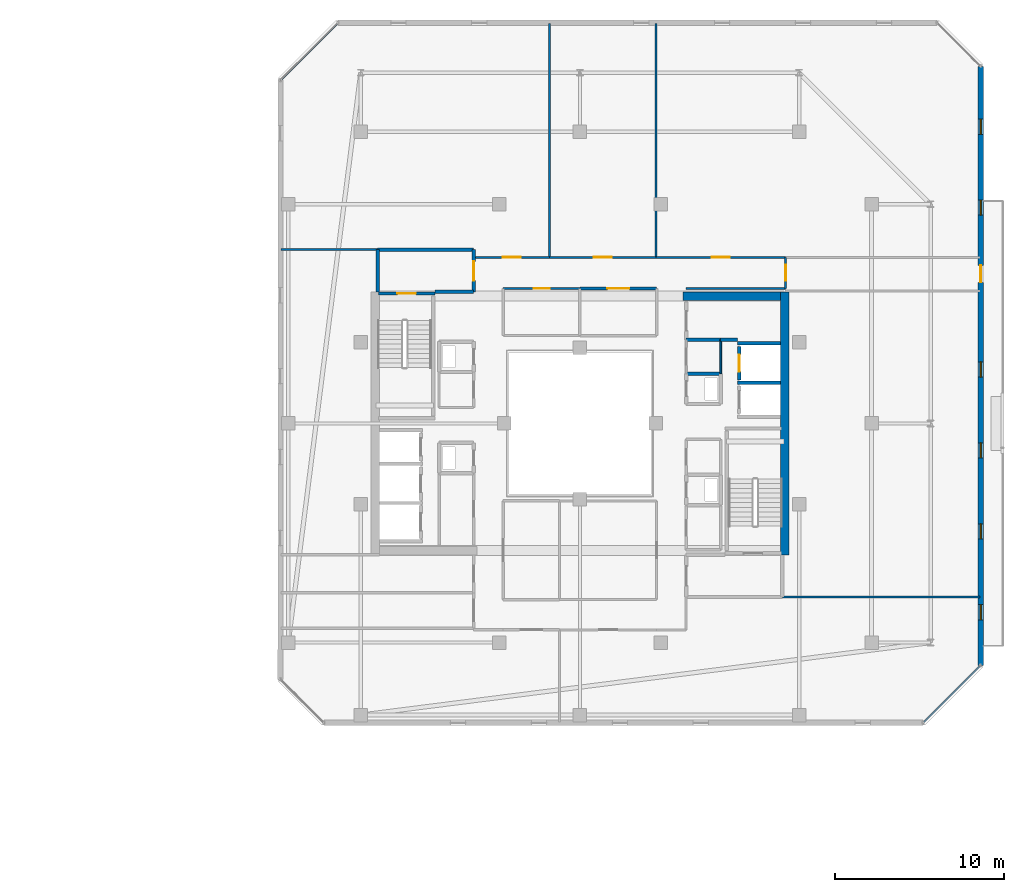
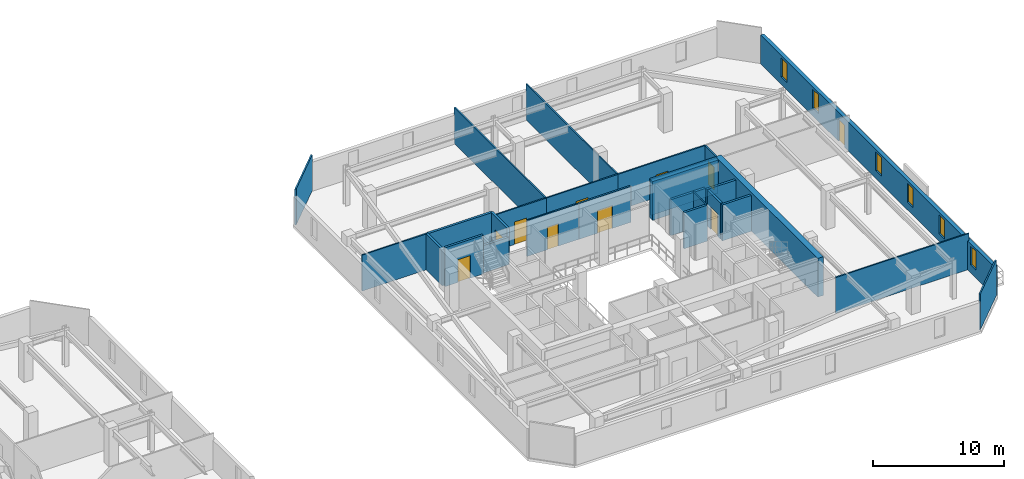
# One storey, part 27 of 35: 28 walls, 10 doors, 6 windows, 16 openings.
"""IFC4 building model written with IfcOpenShell, lengths in metres."""

from ifc_helpers import new_model, si_unit, direction, frame, frame_2d, origin, place, context, subcontext, project, spatial, rectangle, extrude, material, layer, layer_set, type_object, element, fill, save


model = new_model("IFC4")

# Units and contexts
model_context = context("Model", 3, precision=1e-05, world=origin(), true_north=direction((0.0, 1.0)))
body_context = subcontext(model_context, "Body", "Model", "MODEL_VIEW")
ifc_project = project(units=[si_unit("LENGTHUNIT", "METRE"), si_unit("AREAUNIT", "SQUARE_METRE"), si_unit("VOLUMEUNIT", "CUBIC_METRE"), si_unit("PLANEANGLEUNIT", "RADIAN"), si_unit("MASSUNIT", "GRAM", prefix="KILO")], contexts=[model_context])

# Site, building, storey
site_placement = place(None, origin())
site = spatial("IfcSite", under=ifc_project, at=site_placement, CompositionType="ELEMENT")
building_placement = place(site_placement, origin())
building = spatial("IfcBuilding", under=site, at=building_placement, Name="Thornwick Lancets Civic Towers", CompositionType="ELEMENT")
storey_placement = place(building_placement, frame((0.0, 0.0, 265.5)))
storey = spatial("IfcBuildingStorey", under=building, at=storey_placement, Name="L71", CompositionType="ELEMENT", Elevation=265.5)

# Wall, opening, door
ifc_material_1 = material(Name="Concrete blockwork C40/50", Category="masonry")
ifc_layer_1 = layer(ifc_material_1, 0.199951171875, Name="Concrete blockwork C40/50")
ifc_layer_set_1 = layer_set([ifc_layer_1], Name="Concrete blockwork C40/50")
wall_type_1 = type_object("IfcWallType", Name="WALL_COMP_200", PredefinedType="STANDARD", material=ifc_layer_set_1)
wall_1_placement = place(storey_placement, frame((97.949951171875, 31.570068359375, 0.0), z_axis=(0.0, 0.0, 1.0), x_axis=(0.0, -1.0, 0.0)))
wall_1 = element("IfcWall", 1, at=wall_1_placement, inside=storey, type_object=wall_type_1, Name="L71 Hoistway Front Wall PL-BH1", PredefinedType="STANDARD", context=body_context, shape_type="SweptSolid", body=[
    extrude(rectangle(XDim=1.989990234375, YDim=0.199951171875, at=frame_2d((0.9951171875, 0.0))), origin(), (0.0, 0.0, 1.0), 3.340087890625),
])
opening_1_placement = place(wall_1_placement, frame((0.485107421875, 0.0, 0.0)))
opening_1 = element("IfcOpeningElement", 2, at=opening_1_placement, cuts=wall_1, Name="Opening LD-PL-BH1", PredefinedType="OPENING", context=body_context, shape_type="SweptSolid", body=[
    extrude(rectangle(XDim=1.02001953125, YDim=2.06005859375, at=frame_2d((0.510009765625, 1.030029296875))), frame((0.0, 0.10986328125, 0.0), z_axis=(0.0, -1.0, 0.0), x_axis=(1.0, 0.0, 0.0)), (0.0, 0.0, 1.0), 0.219970703125),
])
ifc_material_2 = material(Name="Brushed bronze stainless steel", Category="steel")
door_type_1 = type_object("IfcDoorType", Name="DOOR_LIFT_SLIDE", OperationType="SLIDING_TO_LEFT", PredefinedType="DOOR", material=ifc_material_2)
door_1_placement = place(opening_1_placement, origin())
door_1 = element("IfcDoor", 3, at=door_1_placement, inside=storey, type_object=door_type_1, Name="L71 Sliding Lift Landing Door LD-PL-BH1", OperationType="SLIDING_TO_LEFT", OverallHeight=2.06005859375, OverallWidth=1.02001953125, PredefinedType="DOOR", context=body_context, shape_type="SweptSolid", body=[
    extrude(rectangle(XDim=1.02001953125, YDim=2.06005859375, at=frame_2d((0.510009765625, 1.030029296875))), frame((0.0, 0.02490234375, 0.0), z_axis=(0.0, -1.0, 0.0), x_axis=(1.0, 0.0, 0.0)), (0.0, 0.0, 1.0), 0.050048828125),
])
fill(opening_1, door_1)

# Walls
for number, where, z_axis, x_axis, name in (
    (4, (97.85205078125, 29.39990234375, 0.0), (0.0, 0.0, 1.0), (1.0, 0.0, 0.0), "L71 Hoistway Shaft Wall FL-B1 N"),
    (5, (97.85205078125, 31.75, 0.0), (0.0, 0.0, 1.0), (1.0, 0.0, 0.0), "L71 Hoistway Shaft Wall PL-BH1 N"),
):
    element("IfcWall", number, at=place(storey_placement, frame(where, z_axis=z_axis, x_axis=x_axis)), inside=storey, type_object=wall_type_1, Name=name, PredefinedType="STANDARD", context=body_context, shape_type="SweptSolid", body=[
        extrude(rectangle(XDim=2.535888671875, YDim=0.199951171875, at=frame_2d((1.26806640625, 0.0))), origin(), (0.0, 0.0, 1.0), 3.340087890625),
    ])
wall_2_placement = place(storey_placement, frame((79.89990234375, 34.800048828125, 0.0), z_axis=(0.0, 0.0, 1.0), x_axis=(1.0, 0.0, 0.0)))
element("IfcWall", 6, at=wall_2_placement, inside=storey, type_object=wall_type_1, Name="L71 Partition L71-B-FFLOB2 E1", PredefinedType="STANDARD", context=body_context, shape_type="SweptSolid", body=[
    extrude(rectangle(XDim=2.300048828125, YDim=0.199951171875, at=frame_2d((1.14990234375, 0.0))), origin(), (0.0, 0.0, 1.0), 2.544921875),
])

# Wall, opening, door
wall_3_placement = place(storey_placement, frame((82.199951171875, 34.800048828125, 0.0), z_axis=(0.0, 0.0, 1.0), x_axis=(0.0, 1.0, 0.0)))
wall_3 = element("IfcWall", 7, at=wall_3_placement, inside=storey, type_object=wall_type_1, Name="L71 Partition L71-B-FFLOB2 E2", PredefinedType="STANDARD", context=body_context, shape_type="SweptSolid", body=[
    extrude(rectangle(XDim=2.5, YDim=0.199951171875, at=frame_2d((1.25, 0.0))), origin(), (0.0, 0.0, 1.0), 3.340087890625),
])
opening_2_placement = place(wall_3_placement, frame((0.659912109375, 0.0, 0.0)))
opening_2 = element("IfcOpeningElement", 8, at=opening_2_placement, cuts=wall_3, Name="Opening D-L71-3238", PredefinedType="OPENING", context=body_context, shape_type="SweptSolid", body=[
    extrude(rectangle(XDim=1.14990234375, YDim=2.10009765625, at=frame_2d((0.574951171875, 1.050048828125))), frame((0.0, 0.10986328125, 0.0), z_axis=(0.0, -1.0, 0.0), x_axis=(1.0, 0.0, 0.0)), (0.0, 0.0, 1.0), 0.219970703125),
])
ifc_material_3 = material(Name="Glazed fire-resisting steel", Category="steel")
door_type_2 = type_object("IfcDoorType", Name="DOOR_LOBBY_FD60", OperationType="NOTDEFINED", PredefinedType="DOOR", material=ifc_material_3)
door_2_placement = place(opening_2_placement, origin())
door_2 = element("IfcDoor", 9, at=door_2_placement, inside=storey, type_object=door_type_2, Name="L71 West Firefighting Lobby 2 Door", OperationType="SINGLE_SWING_LEFT", OverallHeight=2.10009765625, OverallWidth=1.14990234375, PredefinedType="DOOR", context=body_context, shape_type="SweptSolid", body=[
    extrude(rectangle(XDim=1.14990234375, YDim=2.10009765625, at=frame_2d((0.574951171875, 1.050048828125))), frame((0.0, 0.02490234375, 0.0), z_axis=(0.0, -1.0, 0.0), x_axis=(1.0, 0.0, 0.0)), (0.0, 0.0, 1.0), 0.050048828125),
])
fill(opening_2, door_2)

# Walls
wall_4_placement = place(storey_placement, frame((82.199951171875, 37.300048828125, 0.0), z_axis=(0.0, 0.0, 1.0), x_axis=(-1.0, 0.0, 0.0)))
element("IfcWall", 10, at=wall_4_placement, inside=storey, type_object=wall_type_1, Name="L71 Partition L71-B-FFLOB2 E3", PredefinedType="STANDARD", context=body_context, shape_type="SweptSolid", body=[
    extrude(rectangle(XDim=5.699951171875, YDim=0.199951171875, at=frame_2d((2.85009765625, 0.0))), origin(), (0.0, 0.0, 1.0), 3.340087890625),
])
wall_5_placement = place(storey_placement, frame((76.5, 37.300048828125, 0.0), z_axis=(0.0, 0.0, 1.0), x_axis=(0.0, -1.0, 0.0)))
element("IfcWall", 11, at=wall_5_placement, inside=storey, type_object=wall_type_1, Name="L71 Partition L71-B-FFLOB2 E4", PredefinedType="STANDARD", context=body_context, shape_type="SweptSolid", body=[
    extrude(rectangle(XDim=2.5, YDim=0.199951171875, at=frame_2d((1.25, 0.0))), origin(), (0.0, 0.0, 1.0), 3.340087890625),
])
wall_6_placement = place(storey_placement, frame((96.85009765625, 29.949951171875, 0.0), z_axis=(0.0, 0.0, 1.0), x_axis=(-1.0, 0.0, 0.0)))
element("IfcWall", 12, at=wall_6_placement, inside=storey, type_object=wall_type_1, Name="L71 Partition L71-B-DUCT1 E3", PredefinedType="STANDARD", context=body_context, shape_type="SweptSolid", body=[
    extrude(rectangle(XDim=2.050048828125, YDim=0.199951171875, at=frame_2d((1.02490234375, 0.0))), origin(), (0.0, 0.0, 1.0), 3.340087890625),
])
wall_7_placement = place(storey_placement, frame((97.85205078125, 31.949951171875, 0.0), z_axis=(0.0, 0.0, 1.0), x_axis=(-1.0, 0.0, 0.0)))
element("IfcWall", 13, at=wall_7_placement, inside=storey, type_object=wall_type_1, Name="L71 Partition L71-B-ITR2 E4", PredefinedType="STANDARD", context=body_context, shape_type="SweptSolid", body=[
    extrude(rectangle(XDim=1.001953125, YDim=0.199951171875, at=frame_2d((0.5009765625, 0.0))), origin(), (0.0, 0.0, 1.0), 3.340087890625),
])
wall_8_placement = place(storey_placement, frame((96.85009765625, 31.949951171875, 0.0), z_axis=(0.0, 0.0, 1.0), x_axis=(-1.0, 0.0, 0.0)))
element("IfcWall", 14, at=wall_8_placement, inside=storey, type_object=wall_type_1, Name="L71 Partition L71-B-ITR2 E5", PredefinedType="STANDARD", context=body_context, shape_type="SweptSolid", body=[
    extrude(rectangle(XDim=2.050048828125, YDim=0.199951171875, at=frame_2d((1.02490234375, 0.0))), origin(), (0.0, 0.0, 1.0), 3.340087890625),
])
ifc_material_4 = material(Name="Concrete C50/60", Category="concrete")
ifc_layer_2 = layer(ifc_material_4, 0.5, Name="Concrete C50/60")
ifc_layer_set_2 = layer_set([ifc_layer_2], Name="Concrete C50/60")
wall_type_2 = type_object("IfcWallType", Name="WALL_CORE_500", PredefinedType="SHEAR", material=ifc_layer_set_2)
wall_9_placement = place(storey_placement, frame((100.64990234375, 19.199951171875, 0.0), z_axis=(0.0, 0.0, 1.0), x_axis=(0.0, 1.0, 0.0)))
element("IfcWall", 15, at=wall_9_placement, inside=storey, type_object=wall_type_2, Name="L71 Split Core B1 Shear Wall E", PredefinedType="SHEAR", context=body_context, shape_type="SweptSolid", body=[
    extrude(rectangle(XDim=15.60009765625, YDim=0.5, at=frame_2d((7.800048828125, 0.0))), origin(), (0.0, 0.0, 1.0), 3.60009765625),
])
wall_10_placement = place(storey_placement, frame((94.60009765625, 34.550048828125, 0.0), z_axis=(0.0, 0.0, 1.0), x_axis=(1.0, 0.0, 0.0)))
element("IfcWall", 16, at=wall_10_placement, inside=storey, type_object=wall_type_2, Name="L71 Split Core B1 Shear Wall N", PredefinedType="SHEAR", context=body_context, shape_type="SweptSolid", body=[
    extrude(rectangle(XDim=5.7998046875, YDim=0.5, at=frame_2d((2.89990234375, 0.0))), origin(), (0.0, 0.0, 1.0), 3.60009765625),
])

# Wall, openings, door, windows
ifc_material_5 = material(Name="Insulated buff terracotta rainscreen on concrete C40/50", Category="masonry")
ifc_layer_3 = layer(ifc_material_5, 0.320068359375, Name="Insulated buff terracotta rainscreen on concrete C40/50")
ifc_layer_set_3 = layer_set([ifc_layer_3], Name="Insulated buff terracotta rainscreen on concrete C40/50")
wall_type_3 = type_object("IfcWallType", Name="WALL_EXT_TERRA_320", PredefinedType="STANDARD", material=ifc_layer_set_3)
wall_11_placement = place(storey_placement, frame((112.261962890625, 12.646484375, 0.0), z_axis=(0.0, 0.0, 1.0), x_axis=(7.5574884e-05, 0.999999997144, 0.0)))
wall_11 = element("IfcWall", 17, at=wall_11_placement, inside=storey, type_object=wall_type_3, Name="L71 Tower B Terracotta Facade Wall E2", PredefinedType="STANDARD", context=body_context, shape_type="SweptSolid", body=[
    extrude(rectangle(XDim=35.534912109375, YDim=0.320068359375, at=frame_2d((17.767578125, 0.0))), origin(), (0.0, 0.0, 1.0), 2.699951171875),
])
opening_3_placement = place(wall_11_placement, frame((22.717529296875, 0.0, 0.0)))
opening_3 = element("IfcOpeningElement", 18, at=opening_3_placement, cuts=wall_11, Name="Opening D-BL-L71-BE", PredefinedType="OPENING", context=body_context, shape_type="SweptSolid", body=[
    extrude(rectangle(XDim=1.0, YDim=2.080078125, at=frame_2d((0.5, 1.0400390625))), frame((0.0, 0.169921875, 0.0), z_axis=(0.0, -1.0, 0.0), x_axis=(1.0, 0.0, 0.0)), (0.0, 0.0, 1.0), 0.340087890625),
])
opening_4_placement = place(wall_11_placement, frame((2.699951171875, 0.0, 0.719970703125)))
opening_4 = element("IfcOpeningElement", 19, at=opening_4_placement, cuts=wall_11, Name="Opening WL-01", PredefinedType="OPENING", context=body_context, shape_type="SweptSolid", body=[
    extrude(rectangle(XDim=0.89990234375, YDim=1.75, at=frame_2d((0.449951171875, 0.875))), frame((0.0, 0.169921875, 0.0), z_axis=(0.0, -1.0, 0.0), x_axis=(1.0, 0.0, 0.0)), (0.0, 0.0, 1.0), 0.340087890625),
])
opening_5_placement = place(wall_11_placement, frame((7.5, 0.0, 0.719970703125)))
opening_5 = element("IfcOpeningElement", 20, at=opening_5_placement, cuts=wall_11, Name="Opening WL-01", PredefinedType="OPENING", context=body_context, shape_type="SweptSolid", body=[
    extrude(rectangle(XDim=0.89990234375, YDim=1.75, at=frame_2d((0.449951171875, 0.875))), frame((0.0, 0.169921875, 0.0), z_axis=(0.0, -1.0, 0.0), x_axis=(1.0, 0.0, 0.0)), (0.0, 0.0, 1.0), 0.340087890625),
])
opening_6_placement = place(wall_11_placement, frame((12.300048828125, 0.0, 0.719970703125)))
opening_6 = element("IfcOpeningElement", 21, at=opening_6_placement, cuts=wall_11, Name="Opening WL-01", PredefinedType="OPENING", context=body_context, shape_type="SweptSolid", body=[
    extrude(rectangle(XDim=0.89990234375, YDim=1.75, at=frame_2d((0.449951171875, 0.875))), frame((0.0, 0.169921875, 0.0), z_axis=(0.0, -1.0, 0.0), x_axis=(1.0, 0.0, 0.0)), (0.0, 0.0, 1.0), 0.340087890625),
])
opening_7_placement = place(wall_11_placement, frame((17.10009765625, 0.0, 0.719970703125)))
opening_7 = element("IfcOpeningElement", 22, at=opening_7_placement, cuts=wall_11, Name="Opening WL-01", PredefinedType="OPENING", context=body_context, shape_type="SweptSolid", body=[
    extrude(rectangle(XDim=0.89990234375, YDim=1.75, at=frame_2d((0.449951171875, 0.875))), frame((0.0, 0.169921875, 0.0), z_axis=(0.0, -1.0, 0.0), x_axis=(1.0, 0.0, 0.0)), (0.0, 0.0, 1.0), 0.340087890625),
])
opening_8_placement = place(wall_11_placement, frame((26.699951171875, 0.0, 0.719970703125)))
opening_8 = element("IfcOpeningElement", 23, at=opening_8_placement, cuts=wall_11, Name="Opening WL-01", PredefinedType="OPENING", context=body_context, shape_type="SweptSolid", body=[
    extrude(rectangle(XDim=0.89990234375, YDim=1.75, at=frame_2d((0.449951171875, 0.875))), frame((0.0, 0.169921875, 0.0), z_axis=(0.0, -1.0, 0.0), x_axis=(1.0, 0.0, 0.0)), (0.0, 0.0, 1.0), 0.340087890625),
])
opening_9_placement = place(wall_11_placement, frame((31.5, 0.0, 0.719970703125)))
opening_9 = element("IfcOpeningElement", 24, at=opening_9_placement, cuts=wall_11, Name="Opening WL-01", PredefinedType="OPENING", context=body_context, shape_type="SweptSolid", body=[
    extrude(rectangle(XDim=0.89990234375, YDim=1.75, at=frame_2d((0.449951171875, 0.875))), frame((0.0, 0.169921875, 0.0), z_axis=(0.0, -1.0, 0.0), x_axis=(1.0, 0.0, 0.0)), (0.0, 0.0, 1.0), 0.340087890625),
])
ifc_material_6 = material(Name="Thermally broken glazed loggia doorset")
door_type_3 = type_object("IfcDoorType", Name="DOOR_BALC_1000", OperationType="NOTDEFINED", PredefinedType="DOOR", material=ifc_material_6)
door_3_placement = place(opening_3_placement, origin())
door_3 = element("IfcDoor", 25, at=door_3_placement, inside=storey, type_object=door_type_3, Name="L71 Tower B Loggia Balcony Door E", OperationType="SINGLE_SWING_RIGHT", OverallHeight=2.080078125, OverallWidth=1.0, PredefinedType="DOOR", context=body_context, shape_type="SweptSolid", body=[
    extrude(rectangle(XDim=1.0, YDim=2.080078125, at=frame_2d((0.5, 1.0400390625))), frame((0.0, 0.02490234375, 0.0), z_axis=(0.0, -1.0, 0.0), x_axis=(1.0, 0.0, 0.0)), (0.0, 0.0, 1.0), 0.050048828125),
])
fill(opening_3, door_3)
ifc_material_7 = material(Name="Clear low-e double glazing in bronze frame", Category="glass")
window_type = type_object("IfcWindowType", Name="WIN_LANCET_900", PartitioningType="SINGLE_PANEL", PredefinedType="WINDOW", material=ifc_material_7)
window_1_placement = place(opening_4_placement, origin())
window_1 = element("IfcWindow", 26, at=window_1_placement, inside=storey, type_object=window_type, Name="L71 Tower B Staggered Lancet Window E2-1", OverallHeight=1.75, OverallWidth=0.89990234375, PartitioningType="SINGLE_PANEL", PredefinedType="WINDOW", context=body_context, shape_type="SweptSolid", body=[
    extrude(rectangle(XDim=0.89990234375, YDim=1.75, at=frame_2d((0.449951171875, 0.875))), frame((0.0, 0.030029296875, 0.0), z_axis=(0.0, -1.0, 0.0), x_axis=(1.0, 0.0, 0.0)), (0.0, 0.0, 1.0), 0.06005859375),
])
fill(opening_4, window_1)
window_2_placement = place(opening_5_placement, origin())
window_2 = element("IfcWindow", 27, at=window_2_placement, inside=storey, type_object=window_type, Name="L71 Tower B Staggered Lancet Window E2-2", OverallHeight=1.75, OverallWidth=0.89990234375, PartitioningType="SINGLE_PANEL", PredefinedType="WINDOW", context=body_context, shape_type="SweptSolid", body=[
    extrude(rectangle(XDim=0.89990234375, YDim=1.75, at=frame_2d((0.449951171875, 0.875))), frame((0.0, 0.030029296875, 0.0), z_axis=(0.0, -1.0, 0.0), x_axis=(1.0, 0.0, 0.0)), (0.0, 0.0, 1.0), 0.06005859375),
])
fill(opening_5, window_2)
window_3_placement = place(opening_6_placement, origin())
window_3 = element("IfcWindow", 28, at=window_3_placement, inside=storey, type_object=window_type, Name="L71 Tower B Staggered Lancet Window E2-3", OverallHeight=1.75, OverallWidth=0.89990234375, PartitioningType="SINGLE_PANEL", PredefinedType="WINDOW", context=body_context, shape_type="SweptSolid", body=[
    extrude(rectangle(XDim=0.89990234375, YDim=1.75, at=frame_2d((0.449951171875, 0.875))), frame((0.0, 0.030029296875, 0.0), z_axis=(0.0, -1.0, 0.0), x_axis=(1.0, 0.0, 0.0)), (0.0, 0.0, 1.0), 0.06005859375),
])
fill(opening_6, window_3)
window_4_placement = place(opening_7_placement, origin())
window_4 = element("IfcWindow", 29, at=window_4_placement, inside=storey, type_object=window_type, Name="L71 Tower B Staggered Lancet Window E2-4", OverallHeight=1.75, OverallWidth=0.89990234375, PartitioningType="SINGLE_PANEL", PredefinedType="WINDOW", context=body_context, shape_type="SweptSolid", body=[
    extrude(rectangle(XDim=0.89990234375, YDim=1.75, at=frame_2d((0.449951171875, 0.875))), frame((0.0, 0.030029296875, 0.0), z_axis=(0.0, -1.0, 0.0), x_axis=(1.0, 0.0, 0.0)), (0.0, 0.0, 1.0), 0.06005859375),
])
fill(opening_7, window_4)
window_5_placement = place(opening_8_placement, origin())
window_5 = element("IfcWindow", 30, at=window_5_placement, inside=storey, type_object=window_type, Name="L71 Tower B Staggered Lancet Window E2-5", OverallHeight=1.75, OverallWidth=0.89990234375, PartitioningType="SINGLE_PANEL", PredefinedType="WINDOW", context=body_context, shape_type="SweptSolid", body=[
    extrude(rectangle(XDim=0.89990234375, YDim=1.75, at=frame_2d((0.449951171875, 0.875))), frame((0.0, 0.030029296875, 0.0), z_axis=(0.0, -1.0, 0.0), x_axis=(1.0, 0.0, 0.0)), (0.0, 0.0, 1.0), 0.06005859375),
])
fill(opening_8, window_5)
window_6_placement = place(opening_9_placement, origin())
window_6 = element("IfcWindow", 31, at=window_6_placement, inside=storey, type_object=window_type, Name="L71 Tower B Staggered Lancet Window E2-6", OverallHeight=1.75, OverallWidth=0.89990234375, PartitioningType="SINGLE_PANEL", PredefinedType="WINDOW", context=body_context, shape_type="SweptSolid", body=[
    extrude(rectangle(XDim=0.89990234375, YDim=1.75, at=frame_2d((0.449951171875, 0.875))), frame((0.0, 0.030029296875, 0.0), z_axis=(0.0, -1.0, 0.0), x_axis=(1.0, 0.0, 0.0)), (0.0, 0.0, 1.0), 0.06005859375),
])
fill(opening_9, window_6)

# Walls
ifc_material_8 = material(Name="Lightweight cellular office partition")
ifc_layer_4 = layer(ifc_material_8, 0.10009765625, Name="Lightweight cellular office partition")
ifc_layer_set_4 = layer_set([ifc_layer_4], Name="Lightweight cellular office partition")
wall_type_4 = type_object("IfcWallType", Name="WALL_PART_100", PredefinedType="PARTITIONING", material=ifc_layer_set_4)
wall_12_placement = place(storey_placement, frame((96.85009765625, 31.949951171875, 0.0), z_axis=(0.0, 0.0, 1.0), x_axis=(0.0, -1.0, 0.0)))
element("IfcWall", 32, at=wall_12_placement, inside=storey, type_object=wall_type_4, Name="L71 Partition L71-B-CLN E3", PredefinedType="PARTITIONING", context=body_context, shape_type="SweptSolid", body=[
    extrude(rectangle(XDim=2.0, YDim=0.10009765625, at=frame_2d((1.0, 0.0))), origin(), (0.0, 0.0, 1.0), 3.340087890625),
])
ifc_material_9 = material(Name="Acoustic gypsum board partition")
ifc_layer_5 = layer(ifc_material_9, 0.1201171875, Name="Acoustic gypsum board partition")
ifc_layer_set_5 = layer_set([ifc_layer_5], Name="Acoustic gypsum board partition")
wall_type_5 = type_object("IfcWallType", Name="WALL_PART_120", PredefinedType="PARTITIONING", material=ifc_layer_set_5)
wall_13_placement = place(storey_placement, frame((94.800048828125, 35.0, 0.0), z_axis=(0.0, 0.0, 1.0), x_axis=(1.0, 0.0, 0.0)))
element("IfcWall", 33, at=wall_13_placement, inside=storey, type_object=wall_type_5, Name="L71 Partition L71-B-RECLAIM-L E2", PredefinedType="PARTITIONING", context=body_context, shape_type="SweptSolid", body=[
    extrude(rectangle(XDim=5.89990234375, YDim=0.1201171875, at=frame_2d((2.949951171875, 0.0))), origin(), (0.0, 0.0, 1.0), 3.340087890625),
])

# Wall, opening, door
wall_14_placement = place(storey_placement, frame((100.699951171875, 35.0, 0.0), z_axis=(0.0, 0.0, 1.0), x_axis=(0.0, 1.0, 0.0)))
wall_14 = element("IfcWall", 34, at=wall_14_placement, inside=storey, type_object=wall_type_5, Name="L71 Partition L71-B-RECLAIM-L E3", PredefinedType="PARTITIONING", context=body_context, shape_type="SweptSolid", body=[
    extrude(rectangle(XDim=1.85009765625, YDim=0.1201171875, at=frame_2d((0.925048828125, 0.0))), origin(), (0.0, 0.0, 1.0), 3.340087890625),
])
opening_10_placement = place(wall_14_placement, frame((0.449951171875, 0.0, 0.0)))
opening_10 = element("IfcOpeningElement", 35, at=opening_10_placement, cuts=wall_14, Name="Opening D-L71-3261", PredefinedType="OPENING", context=body_context, shape_type="SweptSolid", body=[
    extrude(rectangle(XDim=0.949951171875, YDim=2.10009765625, at=frame_2d((0.47509765625, 1.050048828125))), frame((0.0, 0.070068359375, 0.0), z_axis=(0.0, -1.0, 0.0), x_axis=(1.0, 0.0, 0.0)), (0.0, 0.0, 1.0), 0.14013671875),
])
ifc_material_10 = material(Name="European oak acoustic doorset")
door_type_4 = type_object("IfcDoorType", Name="DOOR_OFFICE_950", OperationType="NOTDEFINED", PredefinedType="DOOR", material=ifc_material_10)
door_4_placement = place(opening_10_placement, origin())
door_4 = element("IfcDoor", 36, at=door_4_placement, inside=storey, type_object=door_type_4, Name="L71 Tower B Parliamentary Drafting Library Door", OperationType="SINGLE_SWING_RIGHT", OverallHeight=2.10009765625, OverallWidth=0.949951171875, PredefinedType="DOOR", context=body_context, shape_type="SweptSolid", body=[
    extrude(rectangle(XDim=0.949951171875, YDim=2.10009765625, at=frame_2d((0.47509765625, 1.050048828125))), frame((0.0, 0.02490234375, 0.0), z_axis=(0.0, -1.0, 0.0), x_axis=(1.0, 0.0, 0.0)), (0.0, 0.0, 1.0), 0.050048828125),
])
fill(opening_10, door_4)

# Walls
wall_15_placement = place(storey_placement, frame((100.5, 16.699951171875, 0.0), z_axis=(0.0, 0.0, 1.0), x_axis=(1.0, 0.0, 0.0)))
element("IfcWall", 37, at=wall_15_placement, inside=storey, type_object=wall_type_5, Name="L71 Partition L71-B-W1 E7", PredefinedType="PARTITIONING", context=body_context, shape_type="SweptSolid", body=[
    extrude(rectangle(XDim=11.719970703125, YDim=0.1201171875, at=frame_2d((5.85986328125, 0.0))), origin(), (0.0, 0.0, 1.0), 3.340087890625),
])
wall_16_placement = place(storey_placement, frame((112.219970703125, 12.605712890625, 0.0), z_axis=(0.0, 0.0, 1.0), x_axis=(-0.707106781187, -0.707106781187, 0.0)))
element("IfcWall", 38, at=wall_16_placement, inside=storey, type_object=wall_type_5, Name="L71 Partition L71-B-W1 E9", PredefinedType="PARTITIONING", context=body_context, shape_type="SweptSolid", body=[
    extrude(rectangle(XDim=4.703125, YDim=0.1201171875, at=frame_2d((2.3515625, 0.0))), origin(), (0.0, 0.0, 1.0), 3.340087890625),
])

# Wall, opening, door
wall_17_placement = place(storey_placement, frame((100.699951171875, 36.85009765625, 0.0), z_axis=(0.0, 0.0, 1.0), x_axis=(-1.0, 0.0, 0.0)))
wall_17 = element("IfcWall", 39, at=wall_17_placement, inside=storey, type_object=wall_type_5, Name="L71 Partition L71-B-E1 E1", PredefinedType="PARTITIONING", context=body_context, shape_type="SweptSolid", body=[
    extrude(rectangle(XDim=7.699951171875, YDim=0.1201171875, at=frame_2d((3.85009765625, 0.0))), origin(), (0.0, 0.0, 1.0), 3.340087890625),
])
opening_11_placement = place(wall_17_placement, frame((3.324951171875, 0.0, 0.0)))
opening_11 = element("IfcOpeningElement", 40, at=opening_11_placement, cuts=wall_17, Name="Opening D-L71-3268", PredefinedType="OPENING", context=body_context, shape_type="SweptSolid", body=[
    extrude(rectangle(XDim=1.050048828125, YDim=2.10009765625, at=frame_2d((0.52490234375, 1.050048828125))), frame((0.0, 0.070068359375, 0.0), z_axis=(0.0, -1.0, 0.0), x_axis=(1.0, 0.0, 0.0)), (0.0, 0.0, 1.0), 0.14013671875),
])
ifc_material_11 = material(Name="Glazed European oak executive doorset")
door_type_5 = type_object("IfcDoorType", Name="DOOR_OFFICE_1050", OperationType="NOTDEFINED", PredefinedType="DOOR", material=ifc_material_11)
door_5_placement = place(opening_11_placement, origin())
door_5 = element("IfcDoor", 41, at=door_5_placement, inside=storey, type_object=door_type_5, Name="L71 Tower B Secretariat Open Office E1 Door", OperationType="SINGLE_SWING_LEFT", OverallHeight=2.10009765625, OverallWidth=1.050048828125, PredefinedType="DOOR", context=body_context, shape_type="SweptSolid", body=[
    extrude(rectangle(XDim=1.050048828125, YDim=2.10009765625, at=frame_2d((0.52490234375, 1.050048828125))), frame((0.0, 0.02490234375, 0.0), z_axis=(0.0, -1.0, 0.0), x_axis=(1.0, 0.0, 0.0)), (0.0, 0.0, 1.0), 0.050048828125),
])
fill(opening_11, door_5)

# Walls
for number, where, z_axis, x_axis, name in (
    (42, (93.0, 36.85009765625, 0.0), (0.0, 0.0, 1.0), (0.0, 1.0, 0.0), "L71 Partition L71-B-E1 E2"),
    (43, (86.699951171875, 36.85009765625, 0.0), (0.0, 0.0, 1.0), (0.0, 1.0, 0.0), "L71 Partition L71-B-E2 E1"),
):
    element("IfcWall", number, at=place(storey_placement, frame(where, z_axis=z_axis, x_axis=x_axis)), inside=storey, type_object=wall_type_5, Name=name, PredefinedType="PARTITIONING", context=body_context, shape_type="SweptSolid", body=[
        extrude(rectangle(XDim=13.869873046875, YDim=0.1201171875, at=frame_2d((6.93505859375, 0.0))), origin(), (0.0, 0.0, 1.0), 3.340087890625),
    ])

# Wall, opening, door
wall_18_placement = place(storey_placement, frame((93.0, 36.85009765625, 0.0), z_axis=(0.0, 0.0, 1.0), x_axis=(-1.0, 0.0, 0.0)))
wall_18 = element("IfcWall", 44, at=wall_18_placement, inside=storey, type_object=wall_type_5, Name="L71 Partition L71-B-E2 E4", PredefinedType="PARTITIONING", context=body_context, shape_type="SweptSolid", body=[
    extrude(rectangle(XDim=6.300048828125, YDim=0.1201171875, at=frame_2d((3.14990234375, 0.0))), origin(), (0.0, 0.0, 1.0), 3.340087890625),
])
opening_12_placement = place(wall_18_placement, frame((2.625, 0.0, 0.0)))
opening_12 = element("IfcOpeningElement", 45, at=opening_12_placement, cuts=wall_18, Name="Opening D-L71-3269", PredefinedType="OPENING", context=body_context, shape_type="SweptSolid", body=[
    extrude(rectangle(XDim=1.050048828125, YDim=2.10009765625, at=frame_2d((0.52490234375, 1.050048828125))), frame((0.0, 0.070068359375, 0.0), z_axis=(0.0, -1.0, 0.0), x_axis=(1.0, 0.0, 0.0)), (0.0, 0.0, 1.0), 0.14013671875),
])
door_6_placement = place(opening_12_placement, origin())
door_6 = element("IfcDoor", 46, at=door_6_placement, inside=storey, type_object=door_type_5, Name="L71 Tower B Visitors Reception and Waiting Door", OperationType="SINGLE_SWING_RIGHT", OverallHeight=2.10009765625, OverallWidth=1.050048828125, PredefinedType="DOOR", context=body_context, shape_type="SweptSolid", body=[
    extrude(rectangle(XDim=1.050048828125, YDim=2.10009765625, at=frame_2d((0.52490234375, 1.050048828125))), frame((0.0, 0.02490234375, 0.0), z_axis=(0.0, -1.0, 0.0), x_axis=(1.0, 0.0, 0.0)), (0.0, 0.0, 1.0), 0.050048828125),
])
fill(opening_12, door_6)

# Walls
wall_19_placement = place(storey_placement, frame((76.5, 37.300048828125, 0.0), z_axis=(0.0, 0.0, 1.0), x_axis=(-1.0, 0.0, 0.0)))
element("IfcWall", 47, at=wall_19_placement, inside=storey, type_object=wall_type_5, Name="L71 Partition L71-B-E3 E3", PredefinedType="PARTITIONING", context=body_context, shape_type="SweptSolid", body=[
    extrude(rectangle(XDim=5.719970703125, YDim=0.1201171875, at=frame_2d((2.85986328125, 0.0))), origin(), (0.0, 0.0, 1.0), 3.340087890625),
])
wall_20_placement = place(storey_placement, frame((70.780029296875, 47.394287109375, 0.0), z_axis=(0.0, 0.0, 1.0), x_axis=(0.707106781187, 0.707106781187, 0.0)))
element("IfcWall", 48, at=wall_20_placement, inside=storey, type_object=wall_type_5, Name="L71 Partition L71-B-E3 E5", PredefinedType="PARTITIONING", context=body_context, shape_type="SweptSolid", body=[
    extrude(rectangle(XDim=4.703125, YDim=0.1201171875, at=frame_2d((2.3515625, 0.0))), origin(), (0.0, 0.0, 1.0), 3.340087890625),
])

# Wall, opening, door
wall_21_placement = place(storey_placement, frame((86.699951171875, 36.85009765625, 0.0), z_axis=(0.0, 0.0, 1.0), x_axis=(-1.0, 0.0, 0.0)))
wall_21 = element("IfcWall", 49, at=wall_21_placement, inside=storey, type_object=wall_type_5, Name="L71 Partition L71-B-E3 E8", PredefinedType="PARTITIONING", context=body_context, shape_type="SweptSolid", body=[
    extrude(rectangle(XDim=4.5, YDim=0.1201171875, at=frame_2d((2.25, 0.0))), origin(), (0.0, 0.0, 1.0), 3.340087890625),
])
opening_13_placement = place(wall_21_placement, frame((1.72509765625, 0.0, 0.0)))
opening_13 = element("IfcOpeningElement", 50, at=opening_13_placement, cuts=wall_21, Name="Opening D-L71-3270", PredefinedType="OPENING", context=body_context, shape_type="SweptSolid", body=[
    extrude(rectangle(XDim=1.050048828125, YDim=2.10009765625, at=frame_2d((0.52490234375, 1.050048828125))), frame((0.0, 0.070068359375, 0.0), z_axis=(0.0, -1.0, 0.0), x_axis=(1.0, 0.0, 0.0)), (0.0, 0.0, 1.0), 0.14013671875),
])
door_7_placement = place(opening_13_placement, origin())
door_7 = element("IfcDoor", 51, at=door_7_placement, inside=storey, type_object=door_type_5, Name="L71 Tower B Civic Seminar Room Door", OperationType="SINGLE_SWING_LEFT", OverallHeight=2.10009765625, OverallWidth=1.050048828125, PredefinedType="DOOR", context=body_context, shape_type="SweptSolid", body=[
    extrude(rectangle(XDim=1.050048828125, YDim=2.10009765625, at=frame_2d((0.52490234375, 1.050048828125))), frame((0.0, 0.02490234375, 0.0), z_axis=(0.0, -1.0, 0.0), x_axis=(1.0, 0.0, 0.0)), (0.0, 0.0, 1.0), 0.050048828125),
])
fill(opening_13, door_7)

wall_22_placement = place(storey_placement, frame((83.949951171875, 35.0, 0.0), z_axis=(0.0, 0.0, 1.0), x_axis=(1.0, 0.0, 0.0)))
wall_22 = element("IfcWall", 52, at=wall_22_placement, inside=storey, type_object=wall_type_5, Name="L71 Partition L71-B-E-ATR-2 E2", PredefinedType="PARTITIONING", context=body_context, shape_type="SweptSolid", body=[
    extrude(rectangle(XDim=4.550048828125, YDim=0.1201171875, at=frame_2d((2.27490234375, 0.0))), origin(), (0.0, 0.0, 1.0), 3.340087890625),
])
opening_14_placement = place(wall_22_placement, frame((1.800048828125, 0.0, 0.0)))
opening_14 = element("IfcOpeningElement", 53, at=opening_14_placement, cuts=wall_22, Name="Opening D-L71-3272", PredefinedType="OPENING", context=body_context, shape_type="SweptSolid", body=[
    extrude(rectangle(XDim=0.949951171875, YDim=2.10009765625, at=frame_2d((0.47509765625, 1.050048828125))), frame((0.0, 0.070068359375, 0.0), z_axis=(0.0, -1.0, 0.0), x_axis=(1.0, 0.0, 0.0)), (0.0, 0.0, 1.0), 0.14013671875),
])
door_8_placement = place(opening_14_placement, origin())
door_8 = element("IfcDoor", 54, at=door_8_placement, inside=storey, type_object=door_type_4, Name="L71 Tower B Atrium Research Suite Door", OperationType="SINGLE_SWING_LEFT", OverallHeight=2.10009765625, OverallWidth=0.949951171875, PredefinedType="DOOR", context=body_context, shape_type="SweptSolid", body=[
    extrude(rectangle(XDim=0.949951171875, YDim=2.10009765625, at=frame_2d((0.47509765625, 1.050048828125))), frame((0.0, 0.02490234375, 0.0), z_axis=(0.0, -1.0, 0.0), x_axis=(1.0, 0.0, 0.0)), (0.0, 0.0, 1.0), 0.050048828125),
])
fill(opening_14, door_8)

ifc_material_12 = material(Name="Twin-stud acoustic gypsum board")
ifc_layer_6 = layer(ifc_material_12, 0.14990234375, Name="Twin-stud acoustic gypsum board")
ifc_layer_set_6 = layer_set([ifc_layer_6], Name="Twin-stud acoustic gypsum board")
wall_type_6 = type_object("IfcWallType", Name="WALL_PART_150", PredefinedType="PARTITIONING", material=ifc_layer_set_6)
wall_23_placement = place(storey_placement, frame((88.5, 35.0, 0.0), z_axis=(0.0, 0.0, 1.0), x_axis=(1.0, 0.0, 0.0)))
wall_23 = element("IfcWall", 55, at=wall_23_placement, inside=storey, type_object=wall_type_6, Name="L71 Partition L71-B-E-ATR-1 E2", PredefinedType="PARTITIONING", context=body_context, shape_type="SweptSolid", body=[
    extrude(rectangle(XDim=4.550048828125, YDim=0.14990234375, at=frame_2d((2.27490234375, 0.0))), origin(), (0.0, 0.0, 1.0), 3.340087890625),
])
opening_15_placement = place(wall_23_placement, frame((1.625, 0.0, 0.0)))
opening_15 = element("IfcOpeningElement", 56, at=opening_15_placement, cuts=wall_23, Name="Opening D-L71-3271", PredefinedType="OPENING", context=body_context, shape_type="SweptSolid", body=[
    extrude(rectangle(XDim=1.300048828125, YDim=2.1201171875, at=frame_2d((0.64990234375, 1.06005859375))), frame((0.0, 0.0849609375, 0.0), z_axis=(0.0, -1.0, 0.0), x_axis=(1.0, 0.0, 0.0)), (0.0, 0.0, 1.0), 0.169921875),
])
ifc_material_13 = material(Name="Acoustic oak leaf-and-a-half doorset")
door_type_6 = type_object("IfcDoorType", Name="DOOR_MEET_1300", OperationType="DOUBLE_DOOR_SINGLE_SWING", PredefinedType="DOOR", material=ifc_material_13)
door_9_placement = place(opening_15_placement, origin())
door_9 = element("IfcDoor", 57, at=door_9_placement, inside=storey, type_object=door_type_6, Name="L71 Tower B Atrium Briefing Room Door", OperationType="DOUBLE_DOOR_SINGLE_SWING", OverallHeight=2.1201171875, OverallWidth=1.300048828125, PredefinedType="DOOR", context=body_context, shape_type="SweptSolid", body=[
    extrude(rectangle(XDim=1.300048828125, YDim=2.1201171875, at=frame_2d((0.64990234375, 1.06005859375))), frame((0.0, 0.02490234375, 0.0), z_axis=(0.0, -1.0, 0.0), x_axis=(1.0, 0.0, 0.0)), (0.0, 0.0, 1.0), 0.050048828125),
])
fill(opening_15, door_9)

ifc_material_14 = material(Name="Concrete C40/50", Category="concrete")
ifc_layer_7 = layer(ifc_material_14, 0.199951171875, Name="Concrete C40/50")
ifc_layer_set_7 = layer_set([ifc_layer_7], Name="Concrete C40/50")
wall_type_7 = type_object("IfcWallType", Name="WALL_SHAFT_200", PredefinedType="SHEAR", material=ifc_layer_set_7)
wall_24_placement = place(storey_placement, frame((76.550048828125, 34.699951171875, 0.0), z_axis=(0.0, 0.0, 1.0), x_axis=(1.0, 0.0, 0.0)))
wall_24 = element("IfcWall", 58, at=wall_24_placement, inside=storey, type_object=wall_type_7, Name="L71 ST-B2 Fire Stair Core Wall NEAR", PredefinedType="SHEAR", context=body_context, shape_type="SweptSolid", body=[
    extrude(rectangle(XDim=3.349853515625, YDim=0.199951171875, at=frame_2d((1.6748046875, 0.0))), origin(), (0.0, 0.0, 1.0), 3.60009765625),
])
opening_16_placement = place(wall_24_placement, frame((1.125, 0.0, 0.0)))
opening_16 = element("IfcOpeningElement", 59, at=opening_16_placement, cuts=wall_24, Name="Opening D-ST-B2-L71", PredefinedType="OPENING", context=body_context, shape_type="SweptSolid", body=[
    extrude(rectangle(XDim=1.10009765625, YDim=2.10009765625, at=frame_2d((0.550048828125, 1.050048828125))), frame((0.0, 0.10986328125, 0.0), z_axis=(0.0, -1.0, 0.0), x_axis=(1.0, 0.0, 0.0)), (0.0, 0.0, 1.0), 0.219970703125),
])
ifc_material_15 = material(Name="Fire-resisting steel and hardwood", Category="steel")
door_type_7 = type_object("IfcDoorType", Name="DOOR_STAIR_FD60", OperationType="NOTDEFINED", PredefinedType="DOOR", material=ifc_material_15)
door_10_placement = place(opening_16_placement, origin())
door_10 = element("IfcDoor", 60, at=door_10_placement, inside=storey, type_object=door_type_7, Name="L71 ST-B2 Exit Stair Door", OperationType="SINGLE_SWING_LEFT", OverallHeight=2.10009765625, OverallWidth=1.10009765625, PredefinedType="DOOR", context=body_context, shape_type="SweptSolid", body=[
    extrude(rectangle(XDim=1.10009765625, YDim=2.10009765625, at=frame_2d((0.550048828125, 1.050048828125))), frame((0.0, 0.02490234375, 0.0), z_axis=(0.0, -1.0, 0.0), x_axis=(1.0, 0.0, 0.0)), (0.0, 0.0, 1.0), 0.050048828125),
])
fill(opening_16, door_10)

save(model, "model.ifc")
